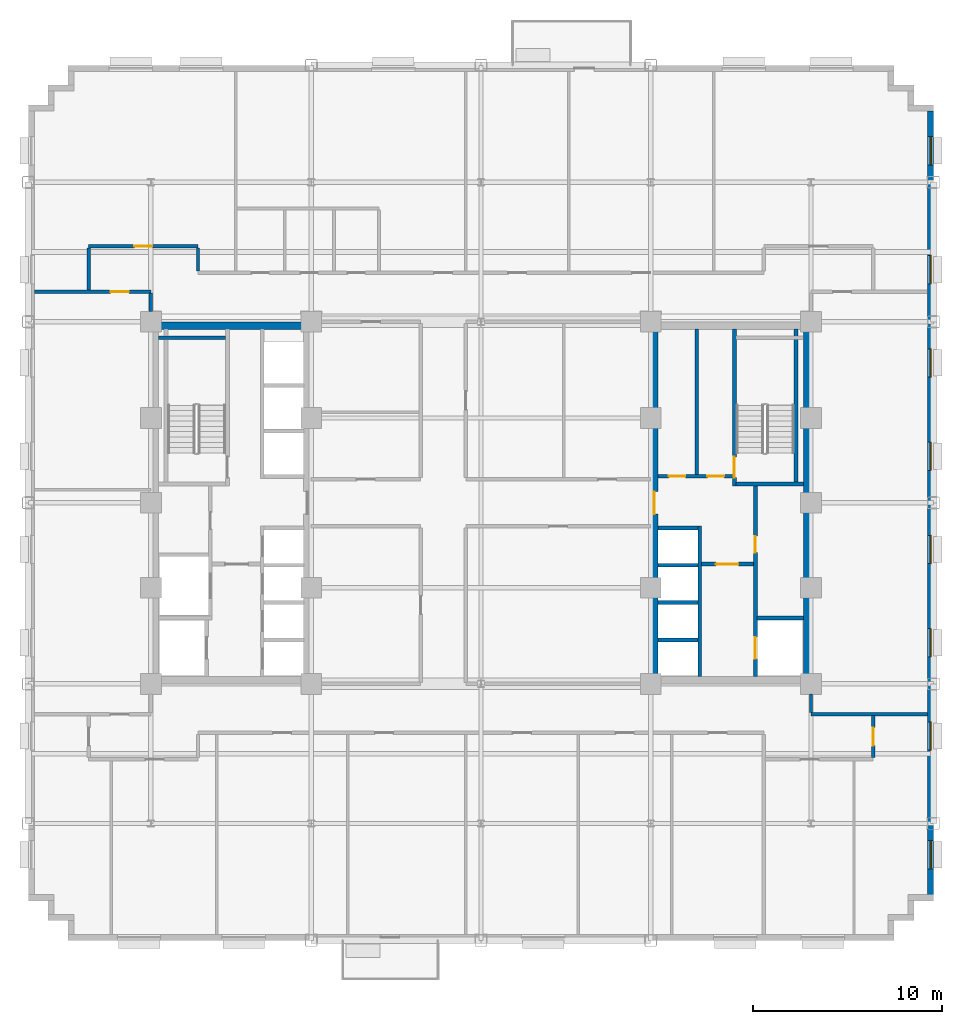
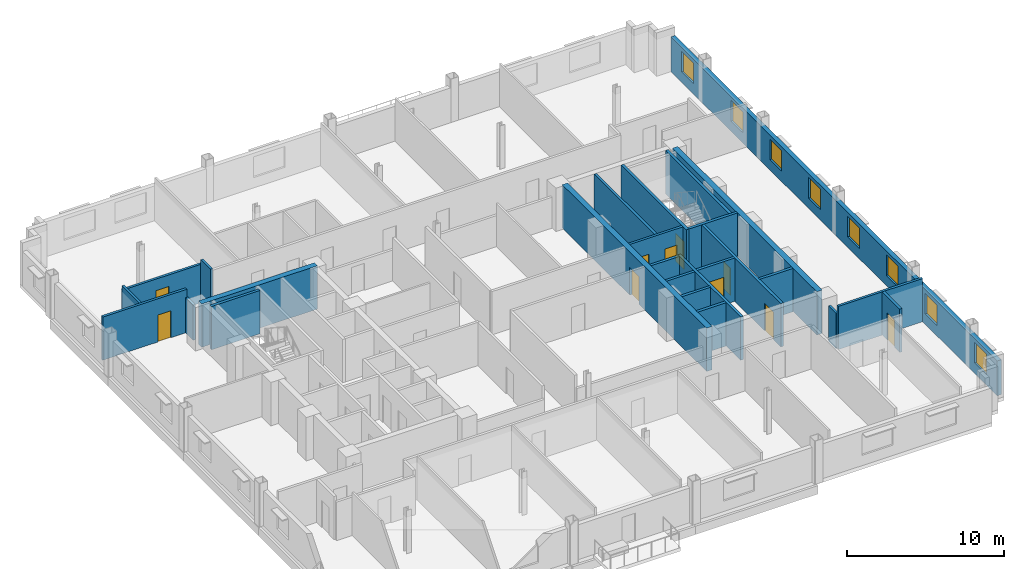
# One storey, part 8 of 14: 26 walls, 10 doors, 8 windows, 18 openings.
"""IFC4 building model written with IfcOpenShell, lengths in metres."""

from ifc_helpers import new_model, si_unit, direction, frame, frame_2d, origin, place, context, subcontext, project, spatial, rectangle, extrude, source, transform, mapped, material, layer, layer_set, type_object, type_shapes, element, fill, save


model = new_model("IFC4")

# Units and contexts
model_context = context("Model", 3, precision=1e-05, world=origin(), true_north=direction((0.0, 1.0)))
body_context = subcontext(model_context, "Body", "Model", "MODEL_VIEW")
ifc_project = project(units=[si_unit("LENGTHUNIT", "METRE"), si_unit("AREAUNIT", "SQUARE_METRE"), si_unit("VOLUMEUNIT", "CUBIC_METRE"), si_unit("PLANEANGLEUNIT", "RADIAN"), si_unit("MASSUNIT", "GRAM", prefix="KILO")], contexts=[model_context])

# Site, building, storey
site_placement = place(None, origin())
site = spatial("IfcSite", under=ifc_project, at=site_placement, CompositionType="ELEMENT")
building_placement = place(site_placement, origin())
building = spatial("IfcBuilding", under=site, at=building_placement, Name="Nuvemarco Arch Tower", CompositionType="ELEMENT")
storey_placement = place(building_placement, frame((0.0, 0.0, 101.949951171875)))
storey = spatial("IfcBuildingStorey", under=building, at=storey_placement, Name="L26", CompositionType="ELEMENT", Elevation=101.949951171875)

# Wall, openings, windows
ifc_material_1 = material(Name="Precast concrete C45/55", Category="concrete")
ifc_layer_1 = layer(ifc_material_1, 0.320068359375, Name="EW-MID-320")
ifc_layer_set_1 = layer_set([ifc_layer_1], Name="Precast concrete C45/55")
wall_type_1 = type_object("IfcWallType", Name="EW-MID-320", PredefinedType="STANDARD", material=ifc_layer_set_1)
wall_1_placement = place(storey_placement, frame((23.840087890625, -20.783935546875, 0.0), z_axis=(0.0, 0.0, 1.0), x_axis=(0.0, 1.0, 0.0)))
wall_1 = element("IfcWall", 1, at=wall_1_placement, inside=storey, type_object=wall_type_1, Name="L26 exterior precast facade wall 6", PredefinedType="STANDARD", context=body_context, shape_type="SweptSolid", body=[
    extrude(rectangle(XDim=41.56787109375, YDim=0.320068359375, at=frame_2d((20.783935546875, 0.0))), origin(), (0.0, 0.0, 1.0), 2.705078125),
])
opening_1_placement = place(wall_1_placement, frame((1.373046875, 0.0, 0.800048828125)))
opening_1 = element("IfcOpeningElement", 2, at=opening_1_placement, cuts=wall_1, Name="Opening WN-11", PredefinedType="OPENING", context=body_context, shape_type="SweptSolid", body=[
    extrude(rectangle(XDim=1.5, YDim=1.60009765625, at=frame_2d((0.75, 0.800048828125))), frame((0.0, 0.169921875, 0.0), z_axis=(0.0, -1.0, 0.0), x_axis=(1.0, 0.0, 0.0)), (0.0, 0.0, 1.0), 0.340087890625),
])
opening_2_placement = place(wall_1_placement, frame((7.6689453125, 0.0, 0.800048828125)))
opening_2 = element("IfcOpeningElement", 3, at=opening_2_placement, cuts=wall_1, Name="Opening WN-11", PredefinedType="OPENING", context=body_context, shape_type="SweptSolid", body=[
    extrude(rectangle(XDim=1.5, YDim=1.60009765625, at=frame_2d((0.75, 0.800048828125))), frame((0.0, 0.169921875, 0.0), z_axis=(0.0, -1.0, 0.0), x_axis=(1.0, 0.0, 0.0)), (0.0, 0.0, 1.0), 0.340087890625),
])
opening_3_placement = place(wall_1_placement, frame((12.614990234375, 0.0, 0.800048828125)))
opening_3 = element("IfcOpeningElement", 4, at=opening_3_placement, cuts=wall_1, Name="Opening WN-11", PredefinedType="OPENING", context=body_context, shape_type="SweptSolid", body=[
    extrude(rectangle(XDim=1.5, YDim=1.60009765625, at=frame_2d((0.75, 0.800048828125))), frame((0.0, 0.169921875, 0.0), z_axis=(0.0, -1.0, 0.0), x_axis=(1.0, 0.0, 0.0)), (0.0, 0.0, 1.0), 0.340087890625),
])
opening_4_placement = place(wall_1_placement, frame((17.56103515625, 0.0, 0.800048828125)))
opening_4 = element("IfcOpeningElement", 5, at=opening_4_placement, cuts=wall_1, Name="Opening WN-11", PredefinedType="OPENING", context=body_context, shape_type="SweptSolid", body=[
    extrude(rectangle(XDim=1.5, YDim=1.60009765625, at=frame_2d((0.75, 0.800048828125))), frame((0.0, 0.169921875, 0.0), z_axis=(0.0, -1.0, 0.0), x_axis=(1.0, 0.0, 0.0)), (0.0, 0.0, 1.0), 0.340087890625),
])
opening_5_placement = place(wall_1_placement, frame((22.507080078125, 0.0, 0.800048828125)))
opening_5 = element("IfcOpeningElement", 6, at=opening_5_placement, cuts=wall_1, Name="Opening WN-11", PredefinedType="OPENING", context=body_context, shape_type="SweptSolid", body=[
    extrude(rectangle(XDim=1.5, YDim=1.60009765625, at=frame_2d((0.75, 0.800048828125))), frame((0.0, 0.169921875, 0.0), z_axis=(0.0, -1.0, 0.0), x_axis=(1.0, 0.0, 0.0)), (0.0, 0.0, 1.0), 0.340087890625),
])
opening_6_placement = place(wall_1_placement, frame((27.452880859375, 0.0, 0.800048828125)))
opening_6 = element("IfcOpeningElement", 7, at=opening_6_placement, cuts=wall_1, Name="Opening WN-11", PredefinedType="OPENING", context=body_context, shape_type="SweptSolid", body=[
    extrude(rectangle(XDim=1.5, YDim=1.60009765625, at=frame_2d((0.75, 0.800048828125))), frame((0.0, 0.169921875, 0.0), z_axis=(0.0, -1.0, 0.0), x_axis=(1.0, 0.0, 0.0)), (0.0, 0.0, 1.0), 0.340087890625),
])
opening_7_placement = place(wall_1_placement, frame((32.39892578125, 0.0, 0.800048828125)))
opening_7 = element("IfcOpeningElement", 8, at=opening_7_placement, cuts=wall_1, Name="Opening WN-11", PredefinedType="OPENING", context=body_context, shape_type="SweptSolid", body=[
    extrude(rectangle(XDim=1.5, YDim=1.60009765625, at=frame_2d((0.75, 0.800048828125))), frame((0.0, 0.169921875, 0.0), z_axis=(0.0, -1.0, 0.0), x_axis=(1.0, 0.0, 0.0)), (0.0, 0.0, 1.0), 0.340087890625),
])
opening_8_placement = place(wall_1_placement, frame((38.695068359375, 0.0, 0.800048828125)))
opening_8 = element("IfcOpeningElement", 9, at=opening_8_placement, cuts=wall_1, Name="Opening WN-11", PredefinedType="OPENING", context=body_context, shape_type="SweptSolid", body=[
    extrude(rectangle(XDim=1.5, YDim=1.60009765625, at=frame_2d((0.75, 0.800048828125))), frame((0.0, 0.169921875, 0.0), z_axis=(0.0, -1.0, 0.0), x_axis=(1.0, 0.0, 0.0)), (0.0, 0.0, 1.0), 0.340087890625),
])
ifc_material_2 = material(Name="Insulated solar-control glass", Category="glass")
window_type = type_object("IfcWindowType", Name="WN-STEP-1500x1850", PartitioningType="SINGLE_PANEL", PredefinedType="WINDOW", material=ifc_material_2)
shared_shape_1 = source(origin(), body_context, "Body", "SweptSolid", [
    extrude(rectangle(XDim=1.5, YDim=1.60009765625, at=frame_2d((0.75, 0.800048828125))), frame((0.0, 0.030029296875, 0.0), z_axis=(0.0, -1.0, 0.0), x_axis=(1.0, 0.0, 0.0)), (0.0, 0.0, 1.0), 0.06005859375),
])
type_shapes(window_type, [shared_shape_1])
window_1_placement = place(opening_1_placement, origin())
window_1 = element("IfcWindow", 10, at=window_1_placement, inside=storey, type_object=window_type, Name="L26 punched facade window 1", OverallHeight=1.60009765625, OverallWidth=1.5, PartitioningType="SINGLE_PANEL", PredefinedType="WINDOW", context=body_context, shape_type="MappedRepresentation", body=[
    mapped(shared_shape_1, transform((0.0, 0.0, 0.0), scale=1.0)),
])
fill(opening_1, window_1)
window_2_placement = place(opening_2_placement, origin())
window_2 = element("IfcWindow", 11, at=window_2_placement, inside=storey, type_object=window_type, Name="L26 punched facade window 2", OverallHeight=1.60009765625, OverallWidth=1.5, PartitioningType="SINGLE_PANEL", PredefinedType="WINDOW", context=body_context, shape_type="MappedRepresentation", body=[
    mapped(shared_shape_1, transform((0.0, 0.0, 0.0), scale=1.0)),
])
fill(opening_2, window_2)
window_3_placement = place(opening_3_placement, origin())
window_3 = element("IfcWindow", 12, at=window_3_placement, inside=storey, type_object=window_type, Name="L26 punched facade window 3", OverallHeight=1.60009765625, OverallWidth=1.5, PartitioningType="SINGLE_PANEL", PredefinedType="WINDOW", context=body_context, shape_type="MappedRepresentation", body=[
    mapped(shared_shape_1, transform((0.0, 0.0, 0.0), scale=1.0)),
])
fill(opening_3, window_3)
window_4_placement = place(opening_4_placement, origin())
window_4 = element("IfcWindow", 13, at=window_4_placement, inside=storey, type_object=window_type, Name="L26 punched facade window 4", OverallHeight=1.60009765625, OverallWidth=1.5, PartitioningType="SINGLE_PANEL", PredefinedType="WINDOW", context=body_context, shape_type="MappedRepresentation", body=[
    mapped(shared_shape_1, transform((0.0, 0.0, 0.0), scale=1.0)),
])
fill(opening_4, window_4)
window_5_placement = place(opening_5_placement, origin())
window_5 = element("IfcWindow", 14, at=window_5_placement, inside=storey, type_object=window_type, Name="L26 punched facade window 5", OverallHeight=1.60009765625, OverallWidth=1.5, PartitioningType="SINGLE_PANEL", PredefinedType="WINDOW", context=body_context, shape_type="MappedRepresentation", body=[
    mapped(shared_shape_1, transform((0.0, 0.0, 0.0), scale=1.0)),
])
fill(opening_5, window_5)
window_6_placement = place(opening_6_placement, origin())
window_6 = element("IfcWindow", 15, at=window_6_placement, inside=storey, type_object=window_type, Name="L26 punched facade window 6", OverallHeight=1.60009765625, OverallWidth=1.5, PartitioningType="SINGLE_PANEL", PredefinedType="WINDOW", context=body_context, shape_type="MappedRepresentation", body=[
    mapped(shared_shape_1, transform((0.0, 0.0, 0.0), scale=1.0)),
])
fill(opening_6, window_6)
window_7_placement = place(opening_7_placement, origin())
window_7 = element("IfcWindow", 16, at=window_7_placement, inside=storey, type_object=window_type, Name="L26 punched facade window 7", OverallHeight=1.60009765625, OverallWidth=1.5, PartitioningType="SINGLE_PANEL", PredefinedType="WINDOW", context=body_context, shape_type="MappedRepresentation", body=[
    mapped(shared_shape_1, transform((0.0, 0.0, 0.0), scale=1.0)),
])
fill(opening_7, window_7)
window_8_placement = place(opening_8_placement, origin())
window_8 = element("IfcWindow", 17, at=window_8_placement, inside=storey, type_object=window_type, Name="L26 punched facade window 8", OverallHeight=1.60009765625, OverallWidth=1.5, PartitioningType="SINGLE_PANEL", PredefinedType="WINDOW", context=body_context, shape_type="MappedRepresentation", body=[
    mapped(shared_shape_1, transform((0.0, 0.0, 0.0), scale=1.0)),
])
fill(opening_8, window_8)

# Wall
ifc_material_3 = material(Name="Concrete C60/75", Category="concrete")
ifc_layer_2 = layer(ifc_material_3, 0.39990234375, Name="WL-CORE-400")
ifc_layer_set_2 = layer_set([ifc_layer_2], Name="Concrete C60/75")
wall_type_2 = type_object("IfcWallType", Name="WL-CORE-400", PredefinedType="SHEAR", material=ifc_layer_set_2)
wall_2_placement = place(storey_placement, frame((-17.5, 9.39990234375, 0.0), z_axis=(0.0, 0.0, 1.0), x_axis=(1.0, 0.0, 0.0)))
element("IfcWall", 18, at=wall_2_placement, inside=storey, type_object=wall_type_2, Name="L26 W-core shear wall N", PredefinedType="SHEAR", context=body_context, shape_type="SweptSolid", body=[
    extrude(rectangle(XDim=8.5, YDim=0.39990234375, at=frame_2d((4.25, 0.0))), origin(), (0.0, 0.0, 1.0), 3.3701171875),
])

# Wall, opening, door
wall_3_placement = place(storey_placement, frame((9.199951171875, -9.205078125, 0.0), z_axis=(0.0, 0.0, 1.0), x_axis=(0.0, 1.0, 0.0)))
wall_3 = element("IfcWall", 19, at=wall_3_placement, inside=storey, type_object=wall_type_2, Name="L26 E-core shear wall W", PredefinedType="SHEAR", context=body_context, shape_type="SweptSolid", body=[
    extrude(rectangle(XDim=18.41015625, YDim=0.39990234375, at=frame_2d((9.205078125, 0.0))), origin(), (0.0, 0.0, 1.0), 3.3701171875),
])
opening_9_placement = place(wall_3_placement, frame((8.60498046875, 0.0, 0.0)))
opening_9 = element("IfcOpeningElement", 20, at=opening_9_placement, cuts=wall_3, Name="Opening FD-2", PredefinedType="OPENING", context=body_context, shape_type="SweptSolid", body=[
    extrude(rectangle(XDim=1.199951171875, YDim=2.14990234375, at=frame_2d((0.60009765625, 1.074951171875))), frame((0.0, 0.2099609375, 0.0), z_axis=(0.0, -1.0, 0.0), x_axis=(1.0, 0.0, 0.0)), (0.0, 0.0, 1.0), 0.419921875),
])
ifc_material_4 = material(Name="Anodised steel fire door", Category="steel")
door_type_1 = type_object("IfcDoorType", Name="DR-FFLOB-FD", OperationType="NOTDEFINED", PredefinedType="DOOR", material=ifc_material_4)
shared_shape_2 = source(origin(), body_context, "Body", "SweptSolid", [
    extrude(rectangle(XDim=1.199951171875, YDim=2.14990234375, at=frame_2d((0.60009765625, 1.074951171875))), frame((0.0, 0.02490234375, 0.0), z_axis=(0.0, -1.0, 0.0), x_axis=(1.0, 0.0, 0.0)), (0.0, 0.0, 1.0), 0.050048828125),
])
type_shapes(door_type_1, [shared_shape_2])
door_1_placement = place(opening_9_placement, origin())
door_1 = element("IfcDoor", 21, at=door_1_placement, inside=storey, type_object=door_type_1, Name="L26 door FD-L26-ECORE-W", OperationType="SINGLE_SWING_LEFT", OverallHeight=2.14990234375, OverallWidth=1.199951171875, PredefinedType="DOOR", context=body_context, shape_type="MappedRepresentation", body=[
    mapped(shared_shape_2, transform((0.0, 0.0, 0.0), scale=1.0)),
])
fill(opening_9, door_1)

# Wall
wall_4_placement = place(storey_placement, frame((17.300048828125, -9.205078125, 0.0), z_axis=(0.0, 0.0, 1.0), x_axis=(0.0, 1.0, 0.0)))
element("IfcWall", 22, at=wall_4_placement, inside=storey, type_object=wall_type_2, Name="L26 E-core shear wall E", PredefinedType="SHEAR", context=body_context, shape_type="SweptSolid", body=[
    extrude(rectangle(XDim=18.41015625, YDim=0.39990234375, at=frame_2d((9.205078125, 0.0))), origin(), (0.0, 0.0, 1.0), 3.3701171875),
])

# Wall, openings, doors
ifc_material_5 = material(Name="Fire-rated gypsum drywall partition")
ifc_layer_3 = layer(ifc_material_5, 0.179931640625, Name="WL-CORR-180")
ifc_layer_set_3 = layer_set([ifc_layer_3], Name="Fire-rated gypsum drywall partition")
wall_type_3 = type_object("IfcWallType", Name="WL-CORR-180", PredefinedType="PARTITIONING", material=ifc_layer_set_3)
wall_5_placement = place(storey_placement, frame((9.39501953125, 1.39990234375, 0.0), z_axis=(0.0, 0.0, 1.0), x_axis=(1.0, 0.0, 0.0)))
wall_5 = element("IfcWall", 23, at=wall_5_placement, inside=storey, type_object=wall_type_3, Name="L26 interior wall IW-L26-EK-S", PredefinedType="PARTITIONING", context=body_context, shape_type="SweptSolid", body=[
    extrude(rectangle(XDim=3.949951171875, YDim=0.179931640625, at=frame_2d((1.97509765625, 0.0))), origin(), (0.0, 0.0, 1.0), 3.360107421875),
])
opening_10_placement = place(wall_5_placement, frame((0.56494140625, 0.0, 0.0)))
opening_10 = element("IfcOpeningElement", 24, at=opening_10_placement, cuts=wall_5, Name="Opening FD-4", PredefinedType="OPENING", context=body_context, shape_type="SweptSolid", body=[
    extrude(rectangle(XDim=0.8798828125, YDim=2.10009765625, at=frame_2d((0.43994140625, 1.050048828125))), frame((0.0, 0.099853515625, 0.0), z_axis=(0.0, -1.0, 0.0), x_axis=(1.0, 0.0, 0.0)), (0.0, 0.0, 1.0), 0.199951171875),
])
opening_11_placement = place(wall_5_placement, frame((2.614990234375, 0.0, 0.0)))
opening_11 = element("IfcOpeningElement", 25, at=opening_11_placement, cuts=wall_5, Name="Opening FD-4", PredefinedType="OPENING", context=body_context, shape_type="SweptSolid", body=[
    extrude(rectangle(XDim=0.8798828125, YDim=2.10009765625, at=frame_2d((0.43994140625, 1.050048828125))), frame((0.0, 0.099853515625, 0.0), z_axis=(0.0, -1.0, 0.0), x_axis=(1.0, 0.0, 0.0)), (0.0, 0.0, 1.0), 0.199951171875),
])
door_type_2 = type_object("IfcDoorType", Name="DR-RISER-FD", OperationType="NOTDEFINED", PredefinedType="DOOR", material=ifc_material_4)
shared_shape_3 = source(origin(), body_context, "Body", "SweptSolid", [
    extrude(rectangle(XDim=0.8798828125, YDim=2.10009765625, at=frame_2d((0.43994140625, 1.050048828125))), frame((0.0, 0.02490234375, 0.0), z_axis=(0.0, -1.0, 0.0), x_axis=(1.0, 0.0, 0.0)), (0.0, 0.0, 1.0), 0.050048828125),
])
type_shapes(door_type_2, [shared_shape_3])
door_2_placement = place(opening_10_placement, origin())
door_2 = element("IfcDoor", 26, at=door_2_placement, inside=storey, type_object=door_type_2, Name="L26 door FD-L26-EK2A", OperationType="SINGLE_SWING_RIGHT", OverallHeight=2.10009765625, OverallWidth=0.8798828125, PredefinedType="DOOR", context=body_context, shape_type="MappedRepresentation", body=[
    mapped(shared_shape_3, transform((0.0, 0.0, 0.0), scale=1.0)),
])
fill(opening_10, door_2)
door_3_placement = place(opening_11_placement, origin())
door_3 = element("IfcDoor", 27, at=door_3_placement, inside=storey, type_object=door_type_2, Name="L26 door FD-L26-EK2B", OperationType="SINGLE_SWING_LEFT", OverallHeight=2.10009765625, OverallWidth=0.8798828125, PredefinedType="DOOR", context=body_context, shape_type="MappedRepresentation", body=[
    mapped(shared_shape_3, transform((0.0, 0.0, 0.0), scale=1.0)),
])
fill(opening_11, door_3)

# Walls
wall_6_placement = place(storey_placement, frame((11.449951171875, 1.489990234375, 0.0), z_axis=(0.0, 0.0, 1.0), x_axis=(0.0, 1.0, 0.0)))
element("IfcWall", 28, at=wall_6_placement, inside=storey, type_object=wall_type_3, Name="L26 interior wall IW-L26-EK2", PredefinedType="PARTITIONING", context=body_context, shape_type="SweptSolid", body=[
    extrude(rectangle(XDim=7.715087890625, YDim=0.179931640625, at=frame_2d((3.857421875, 0.0))), origin(), (0.0, 0.0, 1.0), 3.360107421875),
])
wall_7_placement = place(storey_placement, frame((17.5, -11.199951171875, 0.0), z_axis=(0.0, 0.0, 1.0), x_axis=(1.0, 0.0, 0.0)))
element("IfcWall", 29, at=wall_7_placement, inside=storey, type_object=wall_type_3, Name="L26 interior wall IW-L26-005", PredefinedType="PARTITIONING", context=body_context, shape_type="SweptSolid", body=[
    extrude(rectangle(XDim=6.179931640625, YDim=0.179931640625, at=frame_2d((3.08984375, 0.0))), origin(), (0.0, 0.0, 1.0), 3.360107421875),
])

# Wall, opening, door
wall_8_placement = place(storey_placement, frame((-23.679931640625, 11.199951171875, 0.0), z_axis=(0.0, 0.0, 1.0), x_axis=(1.0, 0.0, 0.0)))
wall_8 = element("IfcWall", 30, at=wall_8_placement, inside=storey, type_object=wall_type_3, Name="L26 interior wall IW-L26-018", PredefinedType="PARTITIONING", context=body_context, shape_type="SweptSolid", body=[
    extrude(rectangle(XDim=6.179931640625, YDim=0.179931640625, at=frame_2d((3.08984375, 0.0))), origin(), (0.0, 0.0, 1.0), 3.360107421875),
])
opening_12_placement = place(wall_8_placement, frame((4.050048828125, 0.0, 0.0)))
opening_12 = element("IfcOpeningElement", 31, at=opening_12_placement, cuts=wall_8, Name="Opening FD-5", PredefinedType="OPENING", context=body_context, shape_type="SweptSolid", body=[
    extrude(rectangle(XDim=0.9599609375, YDim=2.10009765625, at=frame_2d((0.47998046875, 1.050048828125))), frame((0.0, 0.099853515625, 0.0), z_axis=(0.0, -1.0, 0.0), x_axis=(1.0, 0.0, 0.0)), (0.0, 0.0, 1.0), 0.199951171875),
])
ifc_material_6 = material(Name="Timber fire door", Category="wood")
door_type_3 = type_object("IfcDoorType", Name="DR-CORR-FD", OperationType="NOTDEFINED", PredefinedType="DOOR", material=ifc_material_6)
shared_shape_4 = source(origin(), body_context, "Body", "SweptSolid", [
    extrude(rectangle(XDim=0.9599609375, YDim=2.10009765625, at=frame_2d((0.47998046875, 1.050048828125))), frame((0.0, 0.02490234375, 0.0), z_axis=(0.0, -1.0, 0.0), x_axis=(1.0, 0.0, 0.0)), (0.0, 0.0, 1.0), 0.050048828125),
])
type_shapes(door_type_3, [shared_shape_4])
door_4_placement = place(opening_12_placement, origin())
door_4 = element("IfcDoor", 32, at=door_4_placement, inside=storey, type_object=door_type_3, Name="L26 door DR-L26-W_2", OperationType="SINGLE_SWING_RIGHT", OverallHeight=2.10009765625, OverallWidth=0.9599609375, PredefinedType="DOOR", context=body_context, shape_type="MappedRepresentation", body=[
    mapped(shared_shape_4, transform((0.0, 0.0, 0.0), scale=1.0)),
])
fill(opening_12, door_4)

wall_9_placement = place(storey_placement, frame((-20.800048828125, 13.60009765625, 0.0), z_axis=(0.0, 0.0, 1.0), x_axis=(1.0, 0.0, 0.0)))
wall_9 = element("IfcWall", 33, at=wall_9_placement, inside=storey, type_object=wall_type_3, Name="L26 interior wall IW-L26-021", PredefinedType="PARTITIONING", context=body_context, shape_type="SweptSolid", body=[
    extrude(rectangle(XDim=5.800048828125, YDim=0.179931640625, at=frame_2d((2.89990234375, 0.0))), origin(), (0.0, 0.0, 1.0), 2.998046875),
])
opening_13_placement = place(wall_9_placement, frame((2.419921875, 0.0, 0.0)))
opening_13 = element("IfcOpeningElement", 34, at=opening_13_placement, cuts=wall_9, Name="Opening FD-5", PredefinedType="OPENING", context=body_context, shape_type="SweptSolid", body=[
    extrude(rectangle(XDim=0.9599609375, YDim=2.10009765625, at=frame_2d((0.47998046875, 1.050048828125))), frame((0.0, 0.099853515625, 0.0), z_axis=(0.0, -1.0, 0.0), x_axis=(1.0, 0.0, 0.0)), (0.0, 0.0, 1.0), 0.199951171875),
])
door_5_placement = place(opening_13_placement, origin())
door_5 = element("IfcDoor", 35, at=door_5_placement, inside=storey, type_object=door_type_3, Name="L26 door DR-L26-N_1", OperationType="SINGLE_SWING_RIGHT", OverallHeight=2.10009765625, OverallWidth=0.9599609375, PredefinedType="DOOR", context=body_context, shape_type="MappedRepresentation", body=[
    mapped(shared_shape_4, transform((0.0, 0.0, 0.0), scale=1.0)),
])
fill(opening_13, door_5)

# Walls
wall_10_placement = place(storey_placement, frame((-20.800048828125, 11.285888671875, 0.0), z_axis=(0.0, 0.0, 1.0), x_axis=(0.0, 1.0, 0.0)))
element("IfcWall", 36, at=wall_10_placement, inside=storey, type_object=wall_type_3, Name="L26 interior wall IW-L26-025", PredefinedType="PARTITIONING", context=body_context, shape_type="SweptSolid", body=[
    extrude(rectangle(XDim=2.22802734375, YDim=0.179931640625, at=frame_2d((1.114013671875, 0.0))), origin(), (0.0, 0.0, 1.0), 3.360107421875),
])
wall_11_placement = place(storey_placement, frame((-17.5, 10.14599609375, 0.0), z_axis=(0.0, 0.0, 1.0), x_axis=(0.0, 1.0, 0.0)))
element("IfcWall", 37, at=wall_11_placement, inside=storey, type_object=wall_type_3, Name="L26 interior wall IW-L26-028", PredefinedType="PARTITIONING", context=body_context, shape_type="SweptSolid", body=[
    extrude(rectangle(XDim=0.968017578125, YDim=0.179931640625, at=frame_2d((0.48388671875, 0.0))), origin(), (0.0, 0.0, 1.0), 2.738037109375),
])
wall_12_placement = place(storey_placement, frame((-15.0, 12.285888671875, 0.0), z_axis=(0.0, 0.0, 1.0), x_axis=(0.0, 1.0, 0.0)))
element("IfcWall", 38, at=wall_12_placement, inside=storey, type_object=wall_type_3, Name="L26 interior wall IW-L26-030", PredefinedType="PARTITIONING", context=body_context, shape_type="SweptSolid", body=[
    extrude(rectangle(XDim=1.22802734375, YDim=0.179931640625, at=frame_2d((0.614013671875, 0.0))), origin(), (0.0, 0.0, 1.0), 3.360107421875),
])
wall_13_placement = place(storey_placement, frame((17.5, -11.114013671875, 0.0), z_axis=(0.0, 0.0, 1.0), x_axis=(0.0, 1.0, 0.0)))
element("IfcWall", 39, at=wall_13_placement, inside=storey, type_object=wall_type_3, Name="L26 interior wall IW-L26-050", PredefinedType="PARTITIONING", context=body_context, shape_type="SweptSolid", body=[
    extrude(rectangle(XDim=0.968017578125, YDim=0.179931640625, at=frame_2d((0.48388671875, 0.0))), origin(), (0.0, 0.0, 1.0), 2.738037109375),
])

# Wall, opening, door
wall_14_placement = place(storey_placement, frame((20.800048828125, -13.513916015625, 0.0), z_axis=(0.0, 0.0, 1.0), x_axis=(0.0, 1.0, 0.0)))
wall_14 = element("IfcWall", 40, at=wall_14_placement, inside=storey, type_object=wall_type_3, Name="L26 interior wall IW-L26-053", PredefinedType="PARTITIONING", context=body_context, shape_type="SweptSolid", body=[
    extrude(rectangle(XDim=2.22802734375, YDim=0.179931640625, at=frame_2d((1.114013671875, 0.0))), origin(), (0.0, 0.0, 1.0), 3.360107421875),
])
opening_14_placement = place(wall_14_placement, frame((0.634033203125, 0.0, 0.0)))
opening_14 = element("IfcOpeningElement", 41, at=opening_14_placement, cuts=wall_14, Name="Opening FD-5", PredefinedType="OPENING", context=body_context, shape_type="SweptSolid", body=[
    extrude(rectangle(XDim=0.9599609375, YDim=2.10009765625, at=frame_2d((0.47998046875, 1.050048828125))), frame((0.0, 0.099853515625, 0.0), z_axis=(0.0, -1.0, 0.0), x_axis=(1.0, 0.0, 0.0)), (0.0, 0.0, 1.0), 0.199951171875),
])
door_6_placement = place(opening_14_placement, origin())
door_6 = element("IfcDoor", 42, at=door_6_placement, inside=storey, type_object=door_type_3, Name="L26 door DR-L26-S_9", OperationType="SINGLE_SWING_LEFT", OverallHeight=2.10009765625, OverallWidth=0.9599609375, PredefinedType="DOOR", context=body_context, shape_type="MappedRepresentation", body=[
    mapped(shared_shape_4, transform((0.0, 0.0, 0.0), scale=1.0)),
])
fill(opening_14, door_6)

# Wall
ifc_material_7 = material(Name="Concrete C50/60", Category="concrete")
ifc_layer_4 = layer(ifc_material_7, 0.199951171875, Name="WL-SHAFT-220")
ifc_layer_set_4 = layer_set([ifc_layer_4], Name="Concrete C50/60")
wall_type_4 = type_object("IfcWallType", Name="WL-SHAFT-220", PredefinedType="SHEAR", material=ifc_layer_set_4)
wall_15_placement = place(storey_placement, frame((-17.10498046875, 8.75, 0.0), z_axis=(0.0, 0.0, 1.0), x_axis=(1.0, 0.0, 0.0)))
element("IfcWall", 43, at=wall_15_placement, inside=storey, type_object=wall_type_4, Name="L26 structural shaft wall SW-L26-W-ST1N", PredefinedType="SHEAR", context=body_context, shape_type="SweptSolid", body=[
    extrude(rectangle(XDim=3.570068359375, YDim=0.199951171875, at=frame_2d((1.78515625, 0.0))), origin(), (0.0, 0.0, 1.0), 3.3701171875),
])

# Wall, opening, door
wall_16_placement = place(storey_placement, frame((13.43994140625, 0.89990234375, 0.0), z_axis=(0.0, 0.0, 1.0), x_axis=(0.0, 1.0, 0.0)))
wall_16 = element("IfcWall", 44, at=wall_16_placement, inside=storey, type_object=wall_type_4, Name="L26 structural shaft wall SW-L26-E-ST2W", PredefinedType="SHEAR", context=body_context, shape_type="SweptSolid", body=[
    extrude(rectangle(XDim=8.30517578125, YDim=0.199951171875, at=frame_2d((4.152587890625, 0.0))), origin(), (0.0, 0.0, 1.0), 3.3701171875),
])
opening_15_placement = place(wall_16_placement, frame((0.429931640625, 0.0, 0.0)))
opening_15 = element("IfcOpeningElement", 45, at=opening_15_placement, cuts=wall_16, Name="Opening FD-1", PredefinedType="OPENING", context=body_context, shape_type="SweptSolid", body=[
    extrude(rectangle(XDim=1.10009765625, YDim=2.14990234375, at=frame_2d((0.550048828125, 1.074951171875))), frame((0.0, 0.10986328125, 0.0), z_axis=(0.0, -1.0, 0.0), x_axis=(1.0, 0.0, 0.0)), (0.0, 0.0, 1.0), 0.219970703125),
])
door_type_4 = type_object("IfcDoorType", Name="DR-STAIR-FD", OperationType="NOTDEFINED", PredefinedType="DOOR", material=ifc_material_4)
shared_shape_5 = source(origin(), body_context, "Body", "SweptSolid", [
    extrude(rectangle(XDim=1.10009765625, YDim=2.14990234375, at=frame_2d((0.550048828125, 1.074951171875))), frame((0.0, 0.02490234375, 0.0), z_axis=(0.0, -1.0, 0.0), x_axis=(1.0, 0.0, 0.0)), (0.0, 0.0, 1.0), 0.050048828125),
])
type_shapes(door_type_4, [shared_shape_5])
door_7_placement = place(opening_15_placement, origin())
door_7 = element("IfcDoor", 46, at=door_7_placement, inside=storey, type_object=door_type_4, Name="L26 door FD-L26-ST2", OperationType="SINGLE_SWING_LEFT", OverallHeight=2.14990234375, OverallWidth=1.10009765625, PredefinedType="DOOR", context=body_context, shape_type="MappedRepresentation", body=[
    mapped(shared_shape_5, transform((0.0, 0.0, 0.0), scale=1.0)),
])
fill(opening_15, door_7)

# Walls
wall_17_placement = place(storey_placement, frame((13.534912109375, 1.0, 0.0), z_axis=(0.0, 0.0, 1.0), x_axis=(1.0, 0.0, 0.0)))
element("IfcWall", 47, at=wall_17_placement, inside=storey, type_object=wall_type_4, Name="L26 structural shaft wall SW-L26-E-ST2S", PredefinedType="SHEAR", context=body_context, shape_type="SweptSolid", body=[
    extrude(rectangle(XDim=3.570068359375, YDim=0.199951171875, at=frame_2d((1.78515625, 0.0))), origin(), (0.0, 0.0, 1.0), 3.3701171875),
])
wall_18_placement = place(storey_placement, frame((16.699951171875, 1.094970703125, 0.0), z_axis=(0.0, 0.0, 1.0), x_axis=(0.0, 1.0, 0.0)))
element("IfcWall", 48, at=wall_18_placement, inside=storey, type_object=wall_type_4, Name="L26 structural shaft wall SW-L26-E-ST2E", PredefinedType="SHEAR", context=body_context, shape_type="SweptSolid", body=[
    extrude(rectangle(XDim=8.110107421875, YDim=0.199951171875, at=frame_2d((4.05517578125, 0.0))), origin(), (0.0, 0.0, 1.0), 3.3701171875),
])

# Wall, openings, doors
wall_19_placement = place(storey_placement, frame((14.550048828125, -9.205078125, 0.0), z_axis=(0.0, 0.0, 1.0), x_axis=(0.0, 1.0, 0.0)))
wall_19 = element("IfcWall", 49, at=wall_19_placement, inside=storey, type_object=wall_type_4, Name="L26 structural shaft wall SW-L26-E-SHW", PredefinedType="SHEAR", context=body_context, shape_type="SweptSolid", body=[
    extrude(rectangle(XDim=10.110107421875, YDim=0.199951171875, at=frame_2d((5.05517578125, 0.0))), origin(), (0.0, 0.0, 1.0), 3.3701171875),
])
opening_16_placement = place(wall_19_placement, frame((6.56494140625, 0.0, 0.0)))
opening_16 = element("IfcOpeningElement", 50, at=opening_16_placement, cuts=wall_19, Name="Opening FD-4", PredefinedType="OPENING", context=body_context, shape_type="SweptSolid", body=[
    extrude(rectangle(XDim=0.8798828125, YDim=2.10009765625, at=frame_2d((0.43994140625, 1.050048828125))), frame((0.0, 0.10986328125, 0.0), z_axis=(0.0, -1.0, 0.0), x_axis=(1.0, 0.0, 0.0)), (0.0, 0.0, 1.0), 0.219970703125),
])
opening_17_placement = place(wall_19_placement, frame((0.929931640625, 0.0, 0.0)))
opening_17 = element("IfcOpeningElement", 51, at=opening_17_placement, cuts=wall_19, Name="Opening LD-2", PredefinedType="OPENING", context=body_context, shape_type="SweptSolid", body=[
    extrude(rectangle(XDim=1.14990234375, YDim=2.14990234375, at=frame_2d((0.574951171875, 1.074951171875))), frame((0.0, 0.10986328125, 0.0), z_axis=(0.0, -1.0, 0.0), x_axis=(1.0, 0.0, 0.0)), (0.0, 0.0, 1.0), 0.219970703125),
])
door_8_placement = place(opening_16_placement, origin())
door_8 = element("IfcDoor", 52, at=door_8_placement, inside=storey, type_object=door_type_2, Name="L26 door FD-L26-ERIS", OperationType="SINGLE_SWING_LEFT", OverallHeight=2.10009765625, OverallWidth=0.8798828125, PredefinedType="DOOR", context=body_context, shape_type="MappedRepresentation", body=[
    mapped(shared_shape_3, transform((0.0, 0.0, 0.0), scale=1.0)),
])
fill(opening_16, door_8)
ifc_material_8 = material(Name="Stainless steel lift door", Category="steel")
door_type_5 = type_object("IfcDoorType", Name="DR-LIFT-FIRE", OperationType="DOUBLE_DOOR_SLIDING", PredefinedType="DOOR", material=ifc_material_8)
shared_shape_6 = source(origin(), body_context, "Body", "SweptSolid", [
    extrude(rectangle(XDim=1.14990234375, YDim=2.14990234375, at=frame_2d((0.574951171875, 1.074951171875))), frame((0.0, 0.02490234375, 0.0), z_axis=(0.0, -1.0, 0.0), x_axis=(1.0, 0.0, 0.0)), (0.0, 0.0, 1.0), 0.050048828125),
])
type_shapes(door_type_5, [shared_shape_6])
door_9_placement = place(opening_17_placement, origin())
door_9 = element("IfcDoor", 53, at=door_9_placement, inside=storey, type_object=door_type_5, Name="L26 Lift landing sliding door FFL-2", OperationType="DOUBLE_DOOR_SLIDING", OverallHeight=2.14990234375, OverallWidth=1.14990234375, PredefinedType="DOOR", context=body_context, shape_type="MappedRepresentation", body=[
    mapped(shared_shape_6, transform((0.0, 0.0, 0.0), scale=1.0)),
])
fill(opening_17, door_9)

# Walls
wall_20_placement = place(storey_placement, frame((14.64501953125, -6.10009765625, 0.0), z_axis=(0.0, 0.0, 1.0), x_axis=(1.0, 0.0, 0.0)))
element("IfcWall", 54, at=wall_20_placement, inside=storey, type_object=wall_type_4, Name="L26 structural shaft wall SW-L26-E-SH1", PredefinedType="SHEAR", context=body_context, shape_type="SweptSolid", body=[
    extrude(rectangle(XDim=2.4599609375, YDim=0.199951171875, at=frame_2d((1.22998046875, 0.0))), origin(), (0.0, 0.0, 1.0), 3.3701171875),
])
wall_21_placement = place(storey_placement, frame((11.60009765625, -9.205078125, 0.0), z_axis=(0.0, 0.0, 1.0), x_axis=(0.0, 1.0, 0.0)))
element("IfcWall", 55, at=wall_21_placement, inside=storey, type_object=wall_type_4, Name="L26 structural shaft wall SW-L26-E-PME", PredefinedType="SHEAR", context=body_context, shape_type="SweptSolid", body=[
    extrude(rectangle(XDim=7.97509765625, YDim=0.199951171875, at=frame_2d((3.987548828125, 0.0))), origin(), (0.0, 0.0, 1.0), 3.3701171875),
])

# Wall, opening, door
wall_22_placement = place(storey_placement, frame((11.695068359375, -3.25, 0.0), z_axis=(0.0, 0.0, 1.0), x_axis=(1.0, 0.0, 0.0)))
wall_22 = element("IfcWall", 56, at=wall_22_placement, inside=storey, type_object=wall_type_4, Name="L26 structural shaft wall SW-L26-E-FFN", PredefinedType="SHEAR", context=body_context, shape_type="SweptSolid", body=[
    extrude(rectangle(XDim=2.760009765625, YDim=0.199951171875, at=frame_2d((1.3798828125, 0.0))), origin(), (0.0, 0.0, 1.0), 3.3701171875),
])
opening_18_placement = place(wall_22_placement, frame((0.7548828125, 0.0, 0.0)))
opening_18 = element("IfcOpeningElement", 57, at=opening_18_placement, cuts=wall_22, Name="Opening FD-2", PredefinedType="OPENING", context=body_context, shape_type="SweptSolid", body=[
    extrude(rectangle(XDim=1.199951171875, YDim=2.14990234375, at=frame_2d((0.60009765625, 1.074951171875))), frame((0.0, 0.10986328125, 0.0), z_axis=(0.0, -1.0, 0.0), x_axis=(1.0, 0.0, 0.0)), (0.0, 0.0, 1.0), 0.219970703125),
])
door_10_placement = place(opening_18_placement, origin())
door_10 = element("IfcDoor", 58, at=door_10_placement, inside=storey, type_object=door_type_1, Name="L26 door FD-L26-EFF2", OperationType="SINGLE_SWING_LEFT", OverallHeight=2.14990234375, OverallWidth=1.199951171875, PredefinedType="DOOR", context=body_context, shape_type="MappedRepresentation", body=[
    mapped(shared_shape_2, transform((0.0, 0.0, 0.0), scale=1.0)),
])
fill(opening_18, door_10)

# Walls
for number, where, z_axis, x_axis, name in (
    (59, (9.39501953125, -7.27001953125, 0.0), (0.0, 0.0, 1.0), (1.0, 0.0, 0.0), "L26 structural shaft wall SW-L26-E-PMD1"),
    (60, (9.39501953125, -5.2900390625, 0.0), (0.0, 0.0, 1.0), (1.0, 0.0, 0.0), "L26 structural shaft wall SW-L26-E-PMD2"),
    (61, (9.39501953125, -3.31005859375, 0.0), (0.0, 0.0, 1.0), (1.0, 0.0, 0.0), "L26 structural shaft wall SW-L26-E-PMD3"),
    (62, (9.39501953125, -1.330078125, 0.0), (0.0, 0.0, 1.0), (1.0, 0.0, 0.0), "L26 structural shaft wall SW-L26-E-PMD4"),
):
    element("IfcWall", number, at=place(storey_placement, frame(where, z_axis=z_axis, x_axis=x_axis)), inside=storey, type_object=wall_type_4, Name=name, PredefinedType="SHEAR", context=body_context, shape_type="SweptSolid", body=[
        extrude(rectangle(XDim=2.10986328125, YDim=0.199951171875, at=frame_2d((1.054931640625, 0.0))), origin(), (0.0, 0.0, 1.0), 3.3701171875),
    ])

save(model, "model.ifc")
